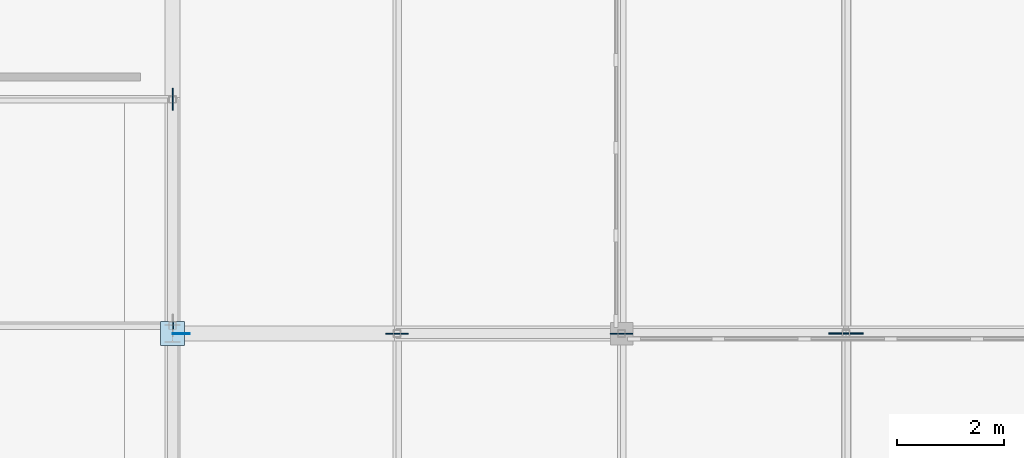
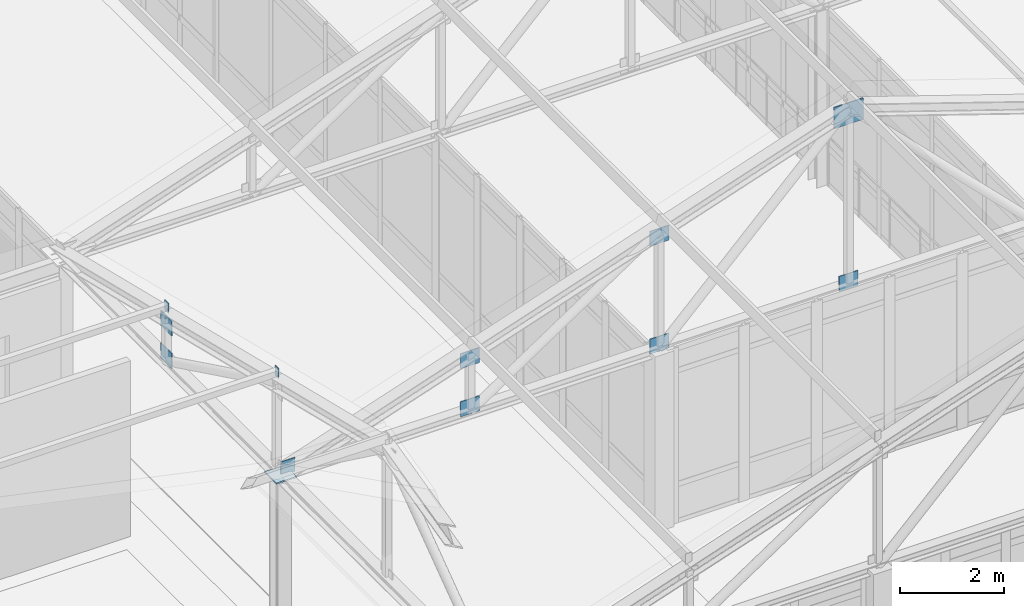
# One storey, part 139 of 192: 12 plates.
"""IFC4 building model written with IfcOpenShell, lengths in metres."""

from ifc_helpers import new_model, si_unit, direction, frame, origin, origin_2d, place, context, subcontext, project, spatial, rectangle, extrude, material, layer, layer_set, type_object, element, save


model = new_model("IFC4")

# Units and contexts
model_context = context("Model", 3, precision=1e-05, world=origin(), true_north=direction((0.0, 1.0)))
body_context = subcontext(model_context, "Body", "Model", "MODEL_VIEW")
ifc_project = project(units=[si_unit("LENGTHUNIT", "METRE"), si_unit("AREAUNIT", "SQUARE_METRE"), si_unit("VOLUMEUNIT", "CUBIC_METRE"), si_unit("PLANEANGLEUNIT", "RADIAN"), si_unit("MASSUNIT", "GRAM", prefix="KILO")], contexts=[model_context])

# Site, building, storey
site_placement = place(None, origin())
site = spatial("IfcSite", under=ifc_project, at=site_placement, CompositionType="ELEMENT")
building_placement = place(site_placement, origin())
building = spatial("IfcBuilding", under=site, at=building_placement, Name="Kveldsbrygga Polytechnic", CompositionType="ELEMENT")
storey_placement = place(building_placement, frame((0.0, 0.0, 5.43994140625)))
storey = spatial("IfcBuildingStorey", under=building, at=storey_placement, Name="L01", CompositionType="ELEMENT", Elevation=5.43994140625)

# Plates
ifc_material = material(Name="Steel S355", Category="steel")
ifc_layer_1 = layer(ifc_material, 0.030029296875)
ifc_layer_set_1 = layer_set([ifc_layer_1], Name="Steel S355")
plate_type_1 = type_object("IfcPlateType", Name="CAP-BEAR-450", PredefinedType="SHEET", material=ifc_layer_set_1)
plate_1_placement = place(storey_placement, frame((50.39990234375, 16.800048828125, 4.08984375), z_axis=(0.0, 0.0, 1.0), x_axis=(1.0, 0.0, 0.0)))
element("IfcPlate", 1, at=plate_1_placement, inside=storey, type_object=plate_type_1, Name="Truss Bearing Plate V5C-T02-A", PredefinedType="SHEET", context=body_context, shape_type="SweptSolid", body=[
    extrude(rectangle(XDim=0.449951171875, YDim=0.449951171875, at=origin_2d()), origin(), (0.0, 0.0, 1.0), 0.030029296875),
])
ifc_layer_2 = layer(ifc_material, 0.011962890625)
ifc_layer_set_2 = layer_set([ifc_layer_2], Name="Steel S355")
plate_type_2 = type_object("IfcPlateType", Name="CAP-PRL-200", PredefinedType="SHEET", material=ifc_layer_set_2)
for number, where, z_axis, x_axis, name in (
    (2, (50.406005859375, 16.94677734375, 6.3037109375), (0.0, 0.0, 1.0), (1.0, 0.0, 0.0), "Purlin End Cap Plate V5S-EP-B-4"),
    (3, (50.406005859375, 21.183349609375, 5.27001953125), (0.0, 0.0, 1.0), (1.0, 0.0, 0.0), "Purlin End Cap Plate V5S-EP-B-5"),
):
    element("IfcPlate", number, at=place(storey_placement, frame(where, z_axis=z_axis, x_axis=x_axis)), inside=storey, type_object=plate_type_2, Name=name, PredefinedType="SHEET", context=body_context, shape_type="SweptSolid", body=[
        extrude(rectangle(XDim=0.011962890625, YDim=0.139892578125, at=origin_2d()), origin(), (0.0, 0.0, 1.0), 0.239990234375),
    ])
ifc_layer_3 = layer(ifc_material, 0.02490234375)
ifc_layer_set_3 = layer_set([ifc_layer_3], Name="Steel S355")
plate_type_3 = type_object("IfcPlateType", Name="GUS-APEX-650", PredefinedType="SHEET", material=ifc_layer_set_3)
plate_2_placement = place(storey_placement, frame((63.0, 16.800048828125, 7.920166015625), z_axis=(0.0, 0.0, 1.0), x_axis=(1.0, 0.0, 0.0)))
element("IfcPlate", 4, at=plate_2_placement, inside=storey, type_object=plate_type_3, Name="Truss Gusset Plate V5C-T02-GP-3", PredefinedType="SHEET", context=body_context, shape_type="SweptSolid", body=[
    extrude(rectangle(XDim=0.64990234375, YDim=0.02490234375, at=origin_2d()), origin(), (0.0, 0.0, 1.0), 0.5),
])
ifc_layer_4 = layer(ifc_material, 0.01806640625)
ifc_layer_set_4 = layer_set([ifc_layer_4], Name="Steel S355")
plate_type_4 = type_object("IfcPlateType", Name="GUS-BRACE-320", PredefinedType="SHEET", material=ifc_layer_set_4)
plate_3_placement = place(storey_placement, frame((50.56005859375, 16.800048828125, 4.080078125), z_axis=(0.0, 0.0, 1.0), x_axis=(1.0, 0.0, 0.0)))
element("IfcPlate", 5, at=plate_3_placement, inside=storey, type_object=plate_type_4, Name="Truss Eaves Node Gusset V5C-T02-EGP-A", PredefinedType="SHEET", context=body_context, shape_type="SweptSolid", body=[
    extrude(rectangle(XDim=0.320068359375, YDim=0.01806640625, at=origin_2d()), origin(), (0.0, 0.0, 1.0), 0.320068359375),
])
ifc_layer_5 = layer(ifc_material, 0.02001953125)
ifc_layer_set_5 = layer_set([ifc_layer_5], Name="Steel S355")
plate_type_5 = type_object("IfcPlateType", Name="GUS-LECT-420", PredefinedType="SHEET", material=ifc_layer_set_5)
for number, where, z_axis, x_axis, name in (
    (6, (50.39990234375, 21.183349609375, 4.828369140625), (0.0, 0.0, 1.0), (1.0, 0.0, 0.0), "Truss Gusset Plate V5S-T07-GP-5"),
    (7, (50.39990234375, 21.183349609375, 4.06494140625), (0.0, 0.0, 1.0), (1.0, 0.0, 0.0), "Truss Bottom-Chord Node Gusset V5S-T07-BGP-5"),
):
    element("IfcPlate", number, at=place(storey_placement, frame(where, z_axis=z_axis, x_axis=x_axis)), inside=storey, type_object=plate_type_5, Name=name, PredefinedType="SHEET", context=body_context, shape_type="SweptSolid", body=[
        extrude(rectangle(XDim=0.02001953125, YDim=0.419921875, at=origin_2d()), origin(), (0.0, 0.0, 1.0), 0.35009765625),
    ])
for number, where, z_axis, x_axis, name in (
    (8, (54.60009765625, 16.800048828125, 5.195068359375), (0.0, 0.0, 1.0), (1.0, 0.0, 0.0), "Truss Gusset Plate V5C-T02-GP-1"),
    (9, (54.60009765625, 16.800048828125, 4.06494140625), (0.0, 0.0, 1.0), (1.0, 0.0, 0.0), "Truss Bottom-Chord Node Gusset V5C-T02-BGP-1"),
    (10, (58.800048828125, 16.800048828125, 6.594970703125), (0.0, 0.0, 1.0), (1.0, 0.0, 0.0), "Truss Gusset Plate V5C-T02-GP-2"),
    (11, (58.800048828125, 16.800048828125, 4.06494140625), (0.0, 0.0, 1.0), (1.0, 0.0, 0.0), "Truss Bottom-Chord Node Gusset V5C-T02-BGP-2"),
    (12, (63.0, 16.800048828125, 4.06494140625), (0.0, 0.0, 1.0), (1.0, 0.0, 0.0), "Truss Bottom-Chord Node Gusset V5C-T02-BGP-3"),
):
    element("IfcPlate", number, at=place(storey_placement, frame(where, z_axis=z_axis, x_axis=x_axis)), inside=storey, type_object=plate_type_5, Name=name, PredefinedType="SHEET", context=body_context, shape_type="SweptSolid", body=[
        extrude(rectangle(XDim=0.419921875, YDim=0.02001953125, at=origin_2d()), origin(), (0.0, 0.0, 1.0), 0.35009765625),
    ])

save(model, "model.ifc")
